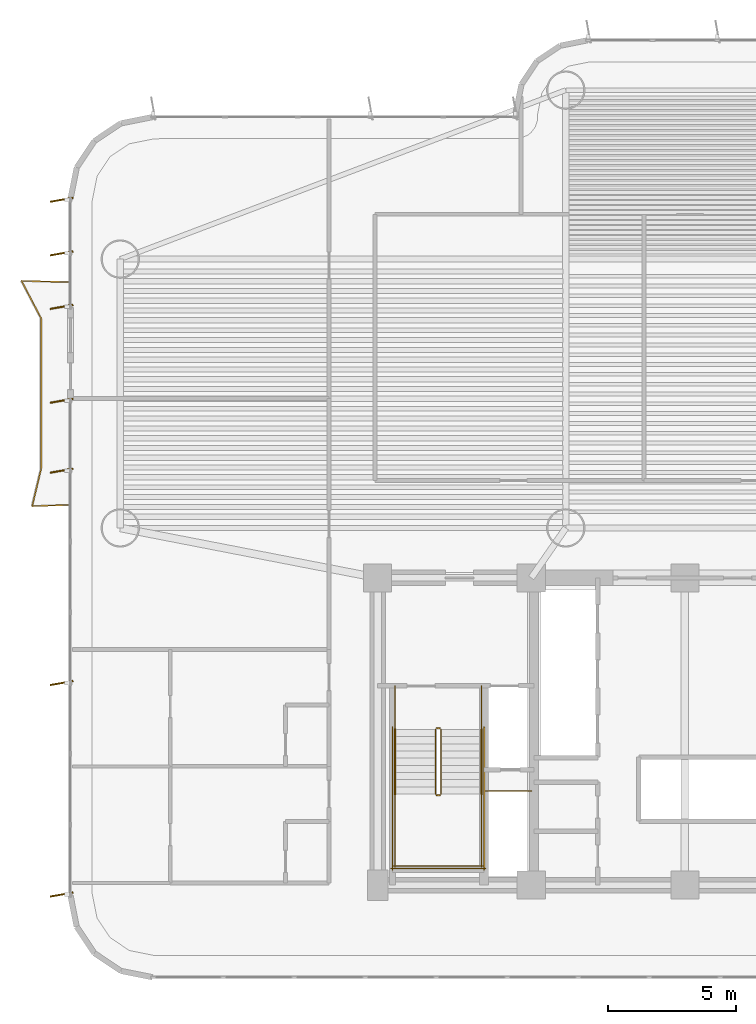
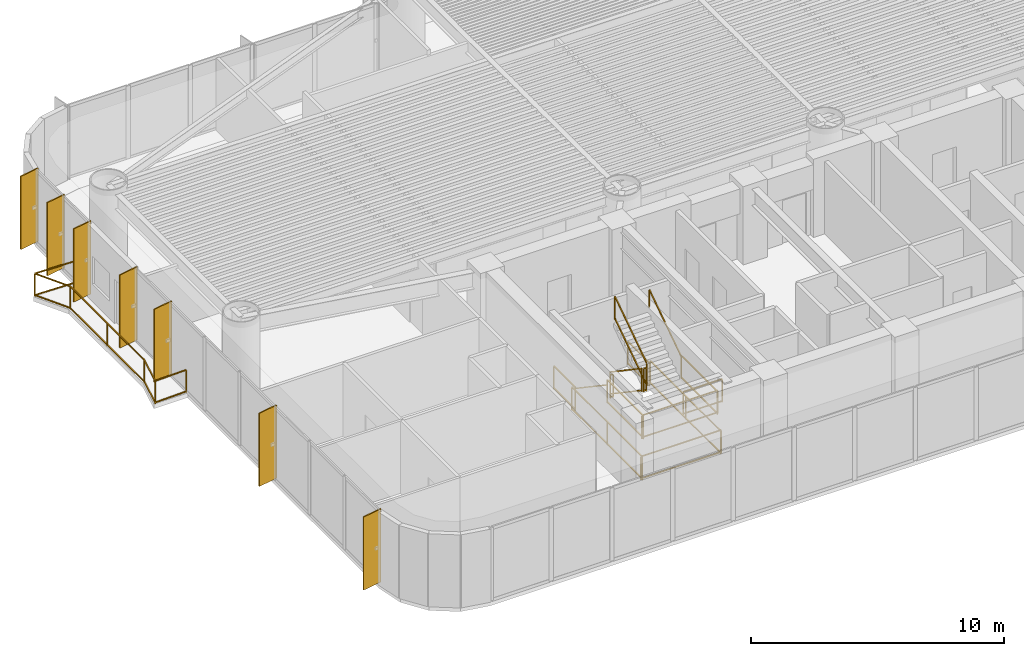
# One storey, part 14 of 17: 16 railings, 7 shading devices.
"""IFC4 building model written with IfcOpenShell, lengths in metres."""

from ifc_helpers import new_model, si_unit, direction, frame, origin, origin_2d, place, context, subcontext, project, spatial, rectangle, extrude, source, transform, mapped, material, layer, layer_set, material_profile, profile_set, type_object, element, save


model = new_model("IFC4")

# Units and contexts
model_context = context("Model", 3, precision=1e-05, world=origin(), true_north=direction((0.0, 1.0)))
body_context = subcontext(model_context, "Body", "Model", "MODEL_VIEW")
ifc_project = project(units=[si_unit("LENGTHUNIT", "METRE"), si_unit("AREAUNIT", "SQUARE_METRE"), si_unit("VOLUMEUNIT", "CUBIC_METRE"), si_unit("PLANEANGLEUNIT", "RADIAN"), si_unit("MASSUNIT", "GRAM", prefix="KILO")], contexts=[model_context])

# Site, building, storey
site_placement = place(None, origin())
site = spatial("IfcSite", under=ifc_project, at=site_placement, CompositionType="ELEMENT")
building_placement = place(site_placement, origin())
building = spatial("IfcBuilding", under=site, at=building_placement, Name="Brelvock Crest Care Tower", CompositionType="ELEMENT")
storey_placement = place(building_placement, frame((0.0, 0.0, 45.89990234375)))
storey = spatial("IfcBuildingStorey", under=building, at=storey_placement, Name="L11", CompositionType="ELEMENT", Elevation=45.89990234375)

# Railings
ifc_material_1 = material(Name="Dark Glass Double Glazed Low-E", Category="glass")
ifc_layer_1 = layer(ifc_material_1, 0.06005859375, Name="RL-BAL1")
ifc_layer_set_1 = layer_set([ifc_layer_1], Name="Dark Glass Double Glazed Low-E")
railing_type_1 = type_object("IfcRailingType", Name="RL-BAL1", PredefinedType="BALUSTRADE", material=ifc_layer_set_1)
railing_1_placement = place(storey_placement, frame((11.9599609375, 20.85009765625, 0.004150390625)))
element("IfcRailing", 1, at=railing_1_placement, inside=storey, type_object=railing_type_1, Name="L11 Safety Balustrade WB-W", PredefinedType="BALUSTRADE", context=body_context, shape_type="SweptSolid", body=[
    extrude(rectangle(XDim=0.048095703125, YDim=0.048095703125, at=origin_2d()), frame((-0.001953125, 0.0, 1.09619140625), z_axis=(-0.999404799616, -0.034497050669, 0.0), x_axis=(0.034497050669, -0.999404799616, 0.0)), (0.0, 0.0, 1.0), 1.44677734375),
    extrude(rectangle(XDim=0.048095703125, YDim=0.048095703125, at=origin_2d()), frame((-0.001953125, 0.0, 0.054931640625), z_axis=(-0.999404799616, -0.034497050669, 0.0), x_axis=(0.034497050669, -0.999404799616, 0.0)), (0.0, 0.0, 1.0), 1.44677734375),
    extrude(rectangle(XDim=0.048095703125, YDim=0.048095703125, at=origin_2d()), frame((-1.449462890625, -0.048095703125, 1.09619140625), z_axis=(0.232196944837, 0.972668791937, 0.0), x_axis=(-0.972668791937, 0.232196944837, 0.0)), (0.0, 0.0, 1.0), 1.503662109375),
    extrude(rectangle(XDim=0.048095703125, YDim=0.048095703125, at=origin_2d()), frame((-1.449462890625, -0.048095703125, 0.054931640625), z_axis=(0.232196944837, 0.972668791937, 0.0), x_axis=(-0.972668791937, 0.232196944837, 0.0)), (0.0, 0.0, 1.0), 1.503662109375),
    extrude(rectangle(XDim=0.048095703125, YDim=0.048095703125, at=origin_2d()), frame((-1.099853515625, 1.41845703125, 1.09619140625), z_axis=(-0.000124843944, 0.999999992207, 0.0), x_axis=(-0.999999992207, -0.000124843944, 0.0)), (0.0, 0.0, 1.0), 5.86279296875),
    extrude(rectangle(XDim=0.048095703125, YDim=0.048095703125, at=origin_2d()), frame((-1.099853515625, 1.41845703125, 0.054931640625), z_axis=(-0.000124843944, 0.999999992207, 0.0), x_axis=(-0.999999992207, -0.000124843944, 0.0)), (0.0, 0.0, 1.0), 5.86279296875),
    extrude(rectangle(XDim=0.048095703125, YDim=0.048095703125, at=origin_2d()), frame((-1.1015625, 7.284912109375, 1.09619140625), z_axis=(-0.463191013929, 0.88625847506, 0.0), x_axis=(-0.88625847506, -0.463191013929, 0.0)), (0.0, 0.0, 1.0), 1.651123046875),
    extrude(rectangle(XDim=0.048095703125, YDim=0.048095703125, at=origin_2d()), frame((-1.1015625, 7.284912109375, 0.054931640625), z_axis=(-0.463191013929, 0.88625847506, 0.0), x_axis=(-0.88625847506, -0.463191013929, 0.0)), (0.0, 0.0, 1.0), 1.651123046875),
    extrude(rectangle(XDim=0.048095703125, YDim=0.048095703125, at=origin_2d()), frame((-1.865234375, 8.75, 1.09619140625), z_axis=(0.999640955712, -0.026794769341, 0.0), x_axis=(0.026794769341, 0.999640955712, 0.0)), (0.0, 0.0, 1.0), 1.86376953125),
    extrude(rectangle(XDim=0.048095703125, YDim=0.048095703125, at=origin_2d()), frame((-1.865234375, 8.75, 0.054931640625), z_axis=(0.999640955712, -0.026794769341, 0.0), x_axis=(0.026794769341, 0.999640955712, 0.0)), (0.0, 0.0, 1.0), 1.86376953125),
    extrude(rectangle(XDim=0.0419921875, YDim=0.0419921875, at=origin_2d()), origin(), (0.0, 0.0, 1.0), 1.070068359375),
    extrude(rectangle(XDim=0.0419921875, YDim=0.0419921875, at=origin_2d()), frame((-1.449951171875, -0.050048828125, 0.0)), (0.0, 0.0, 1.0), 1.070068359375),
    extrude(rectangle(XDim=0.0419921875, YDim=0.0419921875, at=origin_2d()), frame((-1.099853515625, 1.41650390625, 0.0)), (0.0, 0.0, 1.0), 1.070068359375),
    extrude(rectangle(XDim=0.0419921875, YDim=0.0419921875, at=origin_2d()), frame((-1.10009765625, 4.349853515625, 0.0)), (0.0, 0.0, 1.0), 1.070068359375),
    extrude(rectangle(XDim=0.0419921875, YDim=0.0419921875, at=origin_2d()), frame((-1.1005859375, 7.283203125, 0.0)), (0.0, 0.0, 1.0), 1.070068359375),
    extrude(rectangle(XDim=0.0419921875, YDim=0.0419921875, at=origin_2d()), frame((-1.8671875, 8.75, 0.0)), (0.0, 0.0, 1.0), 1.070068359375),
    extrude(rectangle(XDim=0.0419921875, YDim=0.0419921875, at=origin_2d()), frame((0.0, 8.699951171875, 0.0)), (0.0, 0.0, 1.0), 1.070068359375),
])
ifc_material_2 = material(Name="Steel Grade 350", Category="steel")
ifc_layer_2 = layer(ifc_material_2, 0.050048828125, Name="RL-STG1")
ifc_layer_set_2 = layer_set([ifc_layer_2], Name="Steel Grade 350")
railing_type_2 = type_object("IfcRailingType", Name="RL-STG1", PredefinedType="GUARDRAIL", material=ifc_layer_set_2)
railing_2_placement = place(storey_placement, frame((26.260009765625, 12.080078125, 0.189208984375)))
element("IfcRailing", 2, at=railing_2_placement, inside=storey, type_object=railing_type_2, Name="L11 ST-1 stair guard 1", PredefinedType="GUARDRAIL", context=body_context, shape_type="SweptSolid", body=[
    extrude(rectangle(XDim=0.048095703125, YDim=0.048095703125, at=origin_2d()), frame((0.0, -0.001708984375, 1.116943359375), z_axis=(0.0, -0.828861706735, 0.559453546873), x_axis=(1.0, 0.0, 0.0)), (0.0, 0.0, 1.0), 3.036376953125),
    extrude(rectangle(XDim=0.048095703125, YDim=0.048095703125, at=origin_2d()), frame((0.0, -0.001708984375, 0.05615234375), z_axis=(0.0, -0.828861706735, 0.559453546873), x_axis=(1.0, 0.0, 0.0)), (0.0, 0.0, 1.0), 3.036376953125),
    extrude(rectangle(XDim=0.0419921875, YDim=0.0419921875, at=origin_2d()), origin(), (0.0, 0.0, 1.0), 1.08984375),
    extrude(rectangle(XDim=0.0419921875, YDim=0.0419921875, at=origin_2d()), frame((0.0, -2.52001953125, 1.700927734375)), (0.0, 0.0, 1.0), 1.08984375),
])
railing_3_placement = place(storey_placement, frame((26.31005859375, 9.510009765625, 1.89013671875)))
element("IfcRailing", 3, at=railing_3_placement, inside=storey, type_object=railing_type_2, Name="L11 ST-1 stair guard 2", PredefinedType="GUARDRAIL", context=body_context, shape_type="SweptSolid", body=[
    extrude(rectangle(XDim=0.048095703125, YDim=0.048095703125, at=origin_2d()), frame((0.001953125, 0.0, 1.11572265625), z_axis=(1.0, 0.0, 0.0), x_axis=(0.0, 1.0, 0.0)), (0.0, 0.0, 1.0), 0.115966796875),
    extrude(rectangle(XDim=0.048095703125, YDim=0.048095703125, at=origin_2d()), frame((0.001953125, 0.0, 0.054931640625), z_axis=(1.0, 0.0, 0.0), x_axis=(0.0, 1.0, 0.0)), (0.0, 0.0, 1.0), 0.115966796875),
    extrude(rectangle(XDim=0.0419921875, YDim=0.0419921875, at=origin_2d()), origin(), (0.0, 0.0, 1.0), 1.08984375),
    extrude(rectangle(XDim=0.0419921875, YDim=0.0419921875, at=origin_2d()), frame((0.119873046875, 0.0, 0.0)), (0.0, 0.0, 1.0), 1.08984375),
])
for number, where, name in (
    (4, (24.679931640625, 9.56005859375, 1.89013671875), "L11 ST-1 stair guard 3"),
    (5, (28.06005859375, 9.56005859375, 1.89013671875), "L11 ST-1 stair guard 4"),
):
    element("IfcRailing", number, at=place(storey_placement, frame(where)), inside=storey, type_object=railing_type_2, Name=name, PredefinedType="GUARDRAIL", context=body_context, shape_type="SweptSolid", body=[
        extrude(rectangle(XDim=0.048095703125, YDim=0.048095703125, at=origin_2d()), frame((0.0, -0.001953125, 1.11572265625), z_axis=(0.0, -1.0, 0.0), x_axis=(1.0, 0.0, 0.0)), (0.0, 0.0, 1.0), 2.856201171875),
        extrude(rectangle(XDim=0.048095703125, YDim=0.048095703125, at=origin_2d()), frame((0.0, -0.001953125, 0.054931640625), z_axis=(0.0, -1.0, 0.0), x_axis=(1.0, 0.0, 0.0)), (0.0, 0.0, 1.0), 2.856201171875),
        extrude(rectangle(XDim=0.0419921875, YDim=0.0419921875, at=origin_2d()), origin(), (0.0, 0.0, 1.0), 1.08984375),
        extrude(rectangle(XDim=0.0419921875, YDim=0.0419921875, at=origin_2d()), frame((0.0, -2.860107421875, 0.0)), (0.0, 0.0, 1.0), 1.08984375),
    ])
railing_4_placement = place(storey_placement, frame((24.6298828125, 6.75, 1.89013671875)))
element("IfcRailing", 6, at=railing_4_placement, inside=storey, type_object=railing_type_2, Name="L11 ST-1 stair guard 5", PredefinedType="GUARDRAIL", context=body_context, shape_type="SweptSolid", body=[
    extrude(rectangle(XDim=0.048095703125, YDim=0.048095703125, at=origin_2d()), frame((0.001953125, 0.0, 1.11572265625), z_axis=(1.0, 0.0, 0.0), x_axis=(0.0, 1.0, 0.0)), (0.0, 0.0, 1.0), 3.476318359375),
    extrude(rectangle(XDim=0.048095703125, YDim=0.048095703125, at=origin_2d()), frame((0.001953125, 0.0, 0.054931640625), z_axis=(1.0, 0.0, 0.0), x_axis=(0.0, 1.0, 0.0)), (0.0, 0.0, 1.0), 3.476318359375),
    extrude(rectangle(XDim=0.0419921875, YDim=0.0419921875, at=origin_2d()), origin(), (0.0, 0.0, 1.0), 1.08984375),
    extrude(rectangle(XDim=0.0419921875, YDim=0.0419921875, at=origin_2d()), frame((3.480224609375, 0.0, 0.0)), (0.0, 0.0, 1.0), 1.08984375),
])
railing_5_placement = place(storey_placement, frame((26.47998046875, 9.56005859375, 2.0791015625)))
element("IfcRailing", 7, at=railing_5_placement, inside=storey, type_object=railing_type_2, Name="L11 ST-1 stair guard 6", PredefinedType="GUARDRAIL", context=body_context, shape_type="SweptSolid", body=[
    extrude(rectangle(XDim=0.048095703125, YDim=0.048095703125, at=origin_2d()), frame((0.0, 0.001708984375, 1.116943359375), z_axis=(0.0, 0.828861706735, 0.559453546873), x_axis=(-1.0, 0.0, 0.0)), (0.0, 0.0, 1.0), 3.036376953125),
    extrude(rectangle(XDim=0.048095703125, YDim=0.048095703125, at=origin_2d()), frame((0.0, 0.001708984375, 0.05615234375), z_axis=(0.0, 0.828861706735, 0.559453546873), x_axis=(-1.0, 0.0, 0.0)), (0.0, 0.0, 1.0), 3.036376953125),
    extrude(rectangle(XDim=0.0419921875, YDim=0.0419921875, at=origin_2d()), origin(), (0.0, 0.0, 1.0), 1.08984375),
    extrude(rectangle(XDim=0.0419921875, YDim=0.0419921875, at=origin_2d()), frame((0.0, 2.52001953125, 1.700927734375)), (0.0, 0.0, 1.0), 1.08984375),
])
railing_6_placement = place(storey_placement, frame((26.31005859375, 12.1298828125, 0.0)))
element("IfcRailing", 8, at=railing_6_placement, inside=storey, type_object=railing_type_2, Name="L11 ST-1 stair guard 7", PredefinedType="GUARDRAIL", context=body_context, shape_type="SweptSolid", body=[
    extrude(rectangle(XDim=0.048095703125, YDim=0.048095703125, at=origin_2d()), frame((0.001953125, 0.0, 1.11572265625), z_axis=(1.0, 0.0, 0.0), x_axis=(0.0, 1.0, 0.0)), (0.0, 0.0, 1.0), 0.115966796875),
    extrude(rectangle(XDim=0.048095703125, YDim=0.048095703125, at=origin_2d()), frame((0.001953125, 0.0, 0.054931640625), z_axis=(1.0, 0.0, 0.0), x_axis=(0.0, 1.0, 0.0)), (0.0, 0.0, 1.0), 0.115966796875),
    extrude(rectangle(XDim=0.0419921875, YDim=0.0419921875, at=origin_2d()), origin(), (0.0, 0.0, 1.0), 1.08984375),
    extrude(rectangle(XDim=0.0419921875, YDim=0.0419921875, at=origin_2d()), frame((0.119873046875, 0.0, 0.0)), (0.0, 0.0, 1.0), 1.08984375),
])
for number, where, name in (
    (9, (24.679931640625, 13.780029296875, 0.0), "L11 ST-1 stair guard 8"),
    (10, (28.06005859375, 13.780029296875, 0.0), "L11 ST-1 stair guard 9"),
):
    element("IfcRailing", number, at=place(storey_placement, frame(where)), inside=storey, type_object=railing_type_2, Name=name, PredefinedType="GUARDRAIL", context=body_context, shape_type="SweptSolid", body=[
        extrude(rectangle(XDim=0.048095703125, YDim=0.048095703125, at=origin_2d()), frame((0.0, -0.001953125, 1.11572265625), z_axis=(0.0, -1.0, 0.0), x_axis=(1.0, 0.0, 0.0)), (0.0, 0.0, 1.0), 1.696044921875),
        extrude(rectangle(XDim=0.048095703125, YDim=0.048095703125, at=origin_2d()), frame((0.0, -0.001953125, 0.054931640625), z_axis=(0.0, -1.0, 0.0), x_axis=(1.0, 0.0, 0.0)), (0.0, 0.0, 1.0), 1.696044921875),
        extrude(rectangle(XDim=0.0419921875, YDim=0.0419921875, at=origin_2d()), origin(), (0.0, 0.0, 1.0), 1.08984375),
        extrude(rectangle(XDim=0.0419921875, YDim=0.0419921875, at=origin_2d()), frame((0.0, -1.699951171875, 0.0)), (0.0, 0.0, 1.0), 1.08984375),
    ])
for number, where, name in (
    (11, (24.580078125, 12.179931640625, 0.0), "L11 ST-1 stair guard 10"),
    (12, (28.159912109375, 12.179931640625, 0.0), "L11 ST-1 stair guard 11"),
):
    element("IfcRailing", number, at=place(storey_placement, frame(where)), inside=storey, type_object=railing_type_2, Name=name, PredefinedType="GUARDRAIL", context=body_context, shape_type="SweptSolid", body=[
        extrude(rectangle(XDim=0.048095703125, YDim=0.048095703125, at=origin_2d()), frame((0.0, -0.001953125, 1.11572265625), z_axis=(0.0, -1.0, 0.0), x_axis=(1.0, 0.0, 0.0)), (0.0, 0.0, 1.0), 5.575927734375),
        extrude(rectangle(XDim=0.048095703125, YDim=0.048095703125, at=origin_2d()), frame((0.0, -0.001953125, 0.054931640625), z_axis=(0.0, -1.0, 0.0), x_axis=(1.0, 0.0, 0.0)), (0.0, 0.0, 1.0), 5.575927734375),
        extrude(rectangle(XDim=0.0419921875, YDim=0.0419921875, at=origin_2d()), origin(), (0.0, 0.0, 1.0), 1.08984375),
        extrude(rectangle(XDim=0.0419921875, YDim=0.0419921875, at=origin_2d()), frame((0.0, -2.7900390625, 0.0)), (0.0, 0.0, 1.0), 1.08984375),
        extrude(rectangle(XDim=0.0419921875, YDim=0.0419921875, at=origin_2d()), frame((0.0, -5.579833984375, 0.0)), (0.0, 0.0, 1.0), 1.08984375),
    ])
railing_7_placement = place(storey_placement, frame((24.530029296875, 6.64990234375, 0.0)))
element("IfcRailing", 13, at=railing_7_placement, inside=storey, type_object=railing_type_2, Name="L11 ST-1 stair guard 12", PredefinedType="GUARDRAIL", context=body_context, shape_type="SweptSolid", body=[
    extrude(rectangle(XDim=0.048095703125, YDim=0.048095703125, at=origin_2d()), frame((0.001953125, 0.0, 1.11572265625), z_axis=(1.0, 0.0, 0.0), x_axis=(0.0, 1.0, 0.0)), (0.0, 0.0, 1.0), 3.676025390625),
    extrude(rectangle(XDim=0.048095703125, YDim=0.048095703125, at=origin_2d()), frame((0.001953125, 0.0, 0.054931640625), z_axis=(1.0, 0.0, 0.0), x_axis=(0.0, 1.0, 0.0)), (0.0, 0.0, 1.0), 3.676025390625),
    extrude(rectangle(XDim=0.0419921875, YDim=0.0419921875, at=origin_2d()), origin(), (0.0, 0.0, 1.0), 1.08984375),
    extrude(rectangle(XDim=0.0419921875, YDim=0.0419921875, at=origin_2d()), frame((3.679931640625, 0.0, 0.0)), (0.0, 0.0, 1.0), 1.08984375),
])
railing_8_placement = place(storey_placement, frame((28.219970703125, 9.679931640625, 0.0)))
element("IfcRailing", 14, at=railing_8_placement, inside=storey, type_object=railing_type_2, Name="L11 Fire Riser Threshold Guard", PredefinedType="GUARDRAIL", context=body_context, shape_type="SweptSolid", body=[
    extrude(rectangle(XDim=0.048095703125, YDim=0.048095703125, at=origin_2d()), frame((0.001953125, 0.0, 1.11572265625), z_axis=(1.0, 0.0, 0.0), x_axis=(0.0, 1.0, 0.0)), (0.0, 0.0, 1.0), 1.776123046875),
    extrude(rectangle(XDim=0.048095703125, YDim=0.048095703125, at=origin_2d()), frame((0.001953125, 0.0, 0.054931640625), z_axis=(1.0, 0.0, 0.0), x_axis=(0.0, 1.0, 0.0)), (0.0, 0.0, 1.0), 1.776123046875),
    extrude(rectangle(XDim=0.0419921875, YDim=0.0419921875, at=origin_2d()), origin(), (0.0, 0.0, 1.0), 1.08984375),
    extrude(rectangle(XDim=0.0419921875, YDim=0.0419921875, at=origin_2d()), frame((1.780029296875, 0.0, 0.0)), (0.0, 0.0, 1.0), 1.08984375),
])
ifc_layer_3 = layer(ifc_material_2, 0.048095703125, Name="RL-STH1")
ifc_layer_set_3 = layer_set([ifc_layer_3], Name="Steel Grade 350")
railing_type_3 = type_object("IfcRailingType", Name="RL-STH1", PredefinedType="HANDRAIL", material=ifc_layer_set_3)
railing_9_placement = place(storey_placement, frame((24.679931640625, 12.080078125, 0.189208984375)))
element("IfcRailing", 15, at=railing_9_placement, inside=storey, type_object=railing_type_3, Name="L11 ST-1 stair handrail 1", PredefinedType="HANDRAIL", context=body_context, shape_type="SweptSolid", body=[
    extrude(rectangle(XDim=0.048095703125, YDim=0.048095703125, at=origin_2d()), frame((0.0, -0.001708984375, 0.876953125), z_axis=(0.0, -0.828861706735, 0.559453546873), x_axis=(1.0, 0.0, 0.0)), (0.0, 0.0, 1.0), 3.036376953125),
    extrude(rectangle(XDim=0.0419921875, YDim=0.0419921875, at=origin_2d()), origin(), (0.0, 0.0, 1.0), 0.849853515625),
    extrude(rectangle(XDim=0.0419921875, YDim=0.0419921875, at=origin_2d()), frame((0.0, -2.52001953125, 1.700927734375)), (0.0, 0.0, 1.0), 0.849853515625),
])
railing_10_placement = place(storey_placement, frame((28.06005859375, 9.56005859375, 2.0791015625)))
element("IfcRailing", 16, at=railing_10_placement, inside=storey, type_object=railing_type_3, Name="L11 ST-1 stair handrail 2", PredefinedType="HANDRAIL", context=body_context, shape_type="SweptSolid", body=[
    extrude(rectangle(XDim=0.048095703125, YDim=0.048095703125, at=origin_2d()), frame((0.0, 0.001708984375, 0.876953125), z_axis=(0.0, 0.828861706735, 0.559453546873), x_axis=(-1.0, 0.0, 0.0)), (0.0, 0.0, 1.0), 3.036376953125),
    extrude(rectangle(XDim=0.0419921875, YDim=0.0419921875, at=origin_2d()), origin(), (0.0, 0.0, 1.0), 0.849853515625),
    extrude(rectangle(XDim=0.0419921875, YDim=0.0419921875, at=origin_2d()), frame((0.0, 2.52001953125, 1.700927734375)), (0.0, 0.0, 1.0), 0.849853515625),
])

# Shading devices
ifc_material_3 = material(Name="Aluminium 6063-T6", Category="aluminium")
ifc_material_profile = material_profile(ifc_material_3, rectangle(XDim=0.054931640625, YDim=0.89990234375, at=origin_2d()), Name="FIN55x900")
ifc_profile_set = profile_set([ifc_material_profile], Name="Aluminium 6063-T6")
shading_device_type = type_object("IfcShadingDeviceType", Name="SHD-FIN1", PredefinedType="USERDEFINED", material=ifc_profile_set)
shared_shape = source(origin(), body_context, "Body", "SweptSolid", [
    extrude(rectangle(XDim=0.054931640625, YDim=0.89990234375, at=origin_2d()), origin(), (0.0, 0.0, 1.0), 3.530029296875),
])
for number, where, z_axis, x_axis, name in (
    (17, (11.659912109375, 5.632568359375, 0.0), (0.0, 0.0, 1.0), (-0.173648177667, 0.984807753012, 0.0), "L11 Vertical Sunshade Fin E13A-01"),
    (18, (11.659912109375, 13.892822265625, 0.0), (0.0, 0.0, 1.0), (-0.173648177667, 0.984807753012, 0.0), "L11 Vertical Sunshade Fin E13A-04"),
    (19, (11.659912109375, 22.185791015625, 0.0), (0.0, 0.0, 1.0), (-0.173648177667, 0.984807753012, 0.0), "L11 Vertical Sunshade Fin E13A-07"),
    (20, (11.659912109375, 24.91748046875, 0.0), (0.0, 0.0, 1.0), (-0.173648177667, 0.984807753012, 0.0), "L11 Vertical Sunshade Fin E13A-08"),
    (21, (11.659912109375, 28.58251953125, 0.0), (0.0, 0.0, 1.0), (-0.173648177667, 0.984807753012, 0.0), "L11 Vertical Sunshade Fin E13B-01"),
    (22, (11.659912109375, 30.675048828125, 0.0), (0.0, 0.0, 1.0), (-0.173648177667, 0.984807753012, 0.0), "L11 Vertical Sunshade Fin E13B-02"),
    (23, (11.659912109375, 32.767578125, 0.0), (0.0, 0.0, 1.0), (-0.173648177667, 0.984807753012, 0.0), "L11 Vertical Sunshade Fin E13B-03"),
):
    element("IfcShadingDevice", number, at=place(storey_placement, frame(where, z_axis=z_axis, x_axis=x_axis)), inside=storey, type_object=shading_device_type, Name=name, ObjectType="FIN", PredefinedType="USERDEFINED", context=body_context, shape_type="MappedRepresentation", body=[
        mapped(shared_shape, transform((0.0, 0.0, 0.0), x_axis=(1.0, 0.0, 0.0), y_axis=(0.0, 1.0, 0.0), z_axis=(0.0, 0.0, 1.0), scale=1.0)),
    ])

save(model, "model.ifc")
